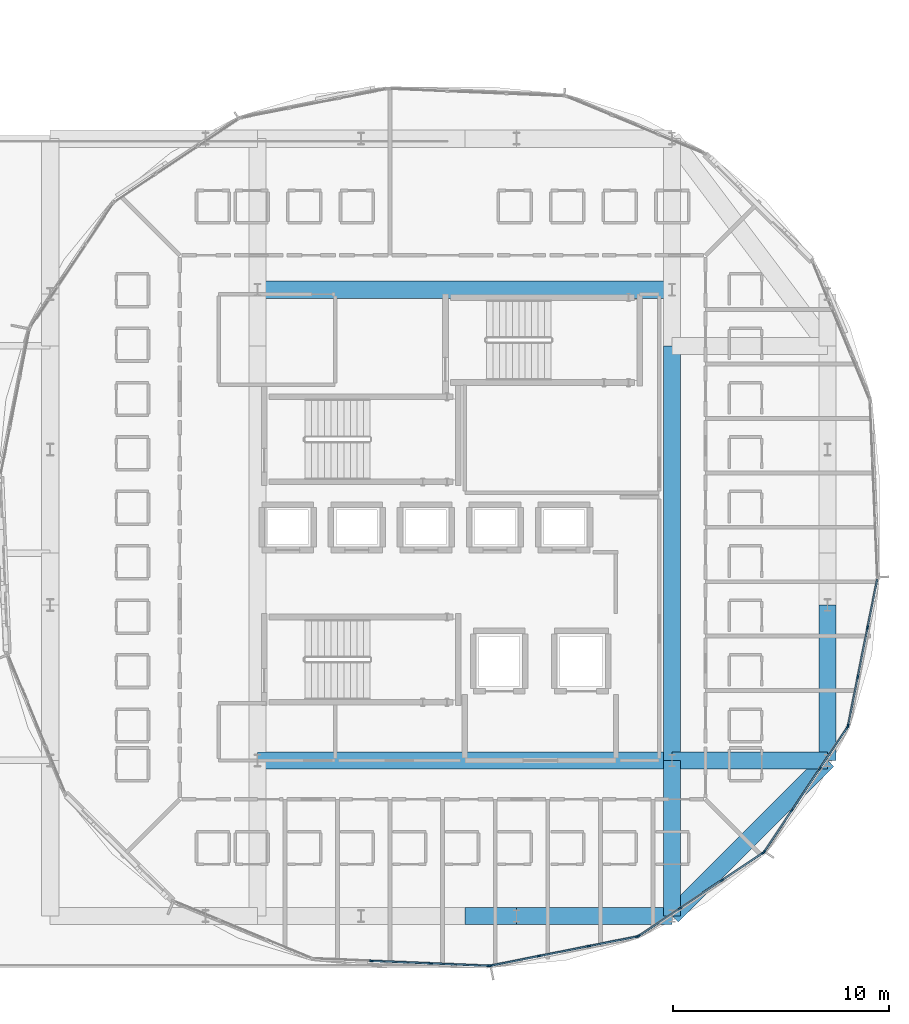
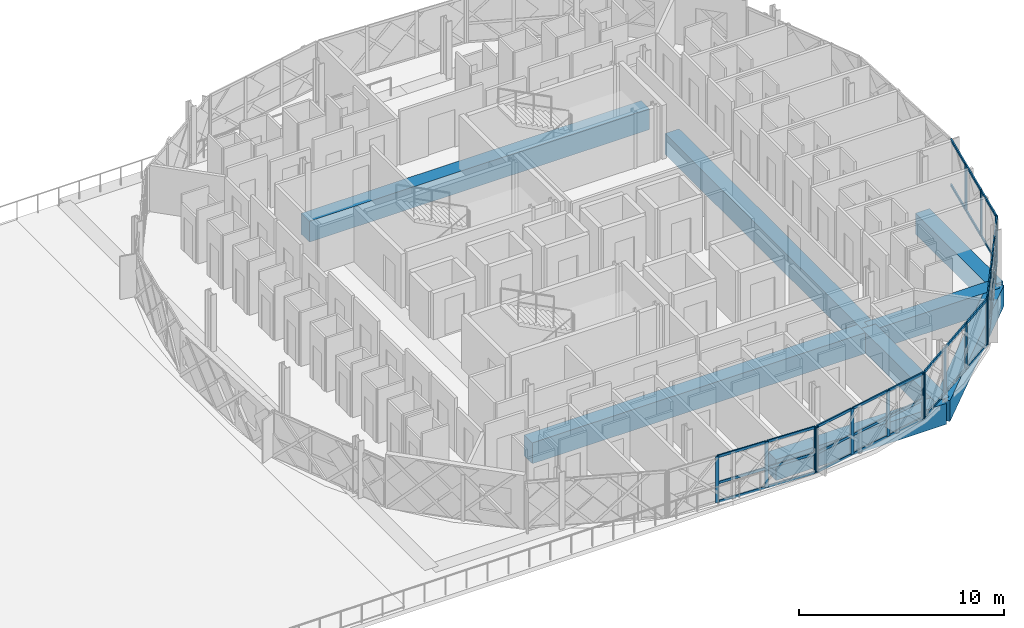
# One storey, part 12 of 53: 54 members, 9 beams, 5 elements without a shape of their own.
"""IFC4 building model written with IfcOpenShell, lengths in metres."""

from ifc_helpers import new_model, si_unit, direction, frame, origin, origin_2d, place, context, subcontext, project, spatial, rectangle, extrude, material, layer, layer_set, material_profile, profile_set, type_object, element, aggregate, save


model = new_model("IFC4")

# Units and contexts
model_context = context("Model", 3, precision=1e-05, world=origin(), true_north=direction((0.0, 1.0)))
body_context = subcontext(model_context, "Body", "Model", "MODEL_VIEW")
ifc_project = project(units=[si_unit("LENGTHUNIT", "METRE"), si_unit("AREAUNIT", "SQUARE_METRE"), si_unit("VOLUMEUNIT", "CUBIC_METRE"), si_unit("PLANEANGLEUNIT", "RADIAN"), si_unit("MASSUNIT", "GRAM", prefix="KILO")], contexts=[model_context])

# Site, building, storey
site_placement = place(None, origin())
site = spatial("IfcSite", under=ifc_project, at=site_placement, CompositionType="ELEMENT")
building_placement = place(site_placement, origin())
building = spatial("IfcBuilding", under=site, at=building_placement, Name="Zevrakil Square Congress Hotel", CompositionType="ELEMENT")
storey_placement = place(building_placement, frame((0.0, 0.0, 14.699951171875)))
storey = spatial("IfcBuildingStorey", under=building, at=storey_placement, Name="L04", CompositionType="ELEMENT", Elevation=14.699951171875)

# Beams
ifc_material_1 = material(Name="Concrete C40/50", Category="concrete")
ifc_material_profile_1 = material_profile(ifc_material_1, rectangle(XDim=0.800048828125, YDim=1.25, at=origin_2d()), Name="RC 800x1250")
ifc_profile_set_1 = profile_set([ifc_material_profile_1], Name="Concrete C40/50")
beam_type = type_object("IfcBeamType", Name="BM-RC800x1250", PredefinedType="BEAM", material=ifc_profile_set_1)
beam_1_placement = place(storey_placement, frame((146.39990234375, 9.60009765625, -0.625), z_axis=(1.0, 0.0, 0.0), x_axis=(0.0, 1.0, 0.0)))
element("IfcBeam", 1, at=beam_1_placement, inside=storey, type_object=beam_type, Name="L04 drum transfer girder TB-007", PredefinedType="BEAM", context=body_context, shape_type="SweptSolid", body=[
    extrude(rectangle(XDim=0.800048828125, YDim=1.25, at=origin_2d()), origin(), (0.0, 0.0, 1.0), 2.400146484375),
])
for number, where, z_axis, x_axis, name in (
    (2, (148.800048828125, 9.60009765625, -0.625), (1.0, 0.0, 0.0), (0.0, 1.0, 0.0), "L04 drum transfer girder TB-009"),
    (3, (163.199951171875, 16.800048828125, -0.625), (0.0, 1.0, 0.0), (-1.0, 0.0, 0.0), "L04 drum transfer girder TB-017"),
):
    element("IfcBeam", number, at=place(storey_placement, frame(where, z_axis=z_axis, x_axis=x_axis)), inside=storey, type_object=beam_type, Name=name, PredefinedType="BEAM", context=body_context, shape_type="SweptSolid", body=[
        extrude(rectangle(XDim=0.800048828125, YDim=1.25, at=origin_2d()), origin(), (0.0, 0.0, 1.0), 7.199951171875),
    ])
beam_2_placement = place(storey_placement, frame((156.0, 9.60009765625, -0.625), z_axis=(0.707106781187, 0.707106781187, 0.0), x_axis=(-0.707106781187, 0.707106781187, 0.0)))
element("IfcBeam", 4, at=beam_2_placement, inside=storey, type_object=beam_type, Name="L04 drum transfer girder TB-021", PredefinedType="BEAM", context=body_context, shape_type="SweptSolid", body=[
    extrude(rectangle(XDim=0.800048828125, YDim=1.25, at=origin_2d()), origin(), (0.0, 0.0, 1.0), 10.182373046875),
])
for number, where, z_axis, x_axis, name in (
    (5, (136.800048828125, 16.800048828125, -0.625), (1.0, 0.0, 0.0), (0.0, 1.0, 0.0), "L04 drum transfer girder TB-023"),
    (6, (136.800048828125, 38.60009765625, -0.625), (1.0, 0.0, 0.0), (0.0, 1.0, 0.0), "L04 drum transfer girder TB-024"),
    (7, (156.0, 16.800048828125, -0.625), (0.0, 1.0, 0.0), (-1.0, 0.0, 0.0), "L04 drum transfer girder TB-026"),
):
    element("IfcBeam", number, at=place(storey_placement, frame(where, z_axis=z_axis, x_axis=x_axis)), inside=storey, type_object=beam_type, Name=name, PredefinedType="BEAM", context=body_context, shape_type="SweptSolid", body=[
        extrude(rectangle(XDim=0.800048828125, YDim=1.25, at=origin_2d()), origin(), (0.0, 0.0, 1.0), 19.199951171875),
    ])
for number, where, z_axis, x_axis, name in (
    (8, (156.0, 9.60009765625, -0.625), (0.0, 1.0, 0.0), (-1.0, 0.0, 0.0), "L04 drum transfer girder TB-029"),
    (9, (156.0, 16.800048828125, -0.625), (1.0, 0.0, 0.0), (0.0, 1.0, 0.0), "L04 drum transfer girder TB-031"),
):
    element("IfcBeam", number, at=place(storey_placement, frame(where, z_axis=z_axis, x_axis=x_axis)), inside=storey, type_object=beam_type, Name=name, PredefinedType="BEAM", context=body_context, shape_type="SweptSolid", body=[
        extrude(rectangle(XDim=0.800048828125, YDim=1.25, at=origin_2d()), origin(), (0.0, 0.0, 1.0), 7.199951171875),
    ])

# Curtain wall, members
ifc_material_2 = material(Name="Aluminium Anodised Bronze", Category="aluminium")
ifc_layer_1 = layer(ifc_material_2, 0.179931640625)
ifc_layer_set_1 = layer_set([ifc_layer_1], Name="Aluminium Anodised Bronze")
curtain_wall_type_1 = type_object("IfcCurtainWallType", Name="CW-L04-720", PredefinedType="USERDEFINED", material=ifc_layer_set_1)
curtain_wall_1_placement = place(storey_placement, origin())
curtain_wall_1 = element("IfcCurtainWall", 10, at=curtain_wall_1_placement, inside=storey, type_object=curtain_wall_type_1, Name="L04 diamond curtain wall CW-L04-0168", ObjectType="GLAZED CURTAIN WALL", PredefinedType="USERDEFINED")
ifc_material_3 = material(Name="Aluminium Anodised Bronze", Category="aluminium")
ifc_material_profile_2 = material_profile(ifc_material_3, rectangle(XDim=0.074951171875, YDim=0.14990234375, at=origin_2d()), Name="ALU 75x150")
ifc_profile_set_2 = profile_set([ifc_material_profile_2], Name="Aluminium Anodised Bronze")
member_type_1 = type_object("IfcMemberType", Name="CWM-ALU75x150", PredefinedType="USERDEFINED", material=ifc_profile_set_2)
member_1_placement = place(storey_placement, frame((147.61376953125, 7.3017578125, 0.030029296875), z_axis=(0.98078922397, 0.195070495322, 0.0), x_axis=(-0.195070495322, 0.98078922397, 0.0)))
member_1 = element("IfcMember", 11, at=member_1_placement, type_object=member_type_1, Name="CW-46 transom 1.1", ObjectType="TRANSOM", PredefinedType="USERDEFINED", context=body_context, shape_type="SweptSolid", body=[
    extrude(rectangle(XDim=0.074951171875, YDim=0.14990234375, at=origin_2d()), origin(), (0.0, 0.0, 1.0), 2.245361328125),
])
member_2_placement = place(storey_placement, frame((147.61376953125, 7.3017578125, 1.155029296875), z_axis=(0.98078922397, 0.195070495322, 0.0), x_axis=(-0.195070495322, 0.98078922397, 0.0)))
member_2 = element("IfcMember", 12, at=member_2_placement, type_object=member_type_1, Name="CW-46 transom 1.2", ObjectType="TRANSOM", PredefinedType="USERDEFINED", context=body_context, shape_type="SweptSolid", body=[
    extrude(rectangle(XDim=0.074951171875, YDim=0.14990234375, at=origin_2d()), origin(), (0.0, 0.0, 1.0), 2.245361328125),
])
member_3_placement = place(storey_placement, frame((147.61376953125, 7.3017578125, 2.719970703125), z_axis=(0.98078922397, 0.195070495322, 0.0), x_axis=(-0.195070495322, 0.98078922397, 0.0)))
member_3 = element("IfcMember", 13, at=member_3_placement, type_object=member_type_1, Name="CW-46 transom 1.3", ObjectType="TRANSOM", PredefinedType="USERDEFINED", context=body_context, shape_type="SweptSolid", body=[
    extrude(rectangle(XDim=0.074951171875, YDim=0.14990234375, at=origin_2d()), origin(), (0.0, 0.0, 1.0), 2.245361328125),
])
member_4_placement = place(storey_placement, frame((149.874755859375, 7.75146484375, 0.030029296875), z_axis=(0.980786492568, 0.195084227953, 0.0), x_axis=(-0.195084227953, 0.980786492568, 0.0)))
member_4 = element("IfcMember", 14, at=member_4_placement, type_object=member_type_1, Name="CW-46 transom 2.1", ObjectType="TRANSOM", PredefinedType="USERDEFINED", context=body_context, shape_type="SweptSolid", body=[
    extrude(rectangle(XDim=0.074951171875, YDim=0.14990234375, at=origin_2d()), origin(), (0.0, 0.0, 1.0), 2.275146484375),
])
member_5_placement = place(storey_placement, frame((149.874755859375, 7.75146484375, 1.155029296875), z_axis=(0.980786492568, 0.195084227953, 0.0), x_axis=(-0.195084227953, 0.980786492568, 0.0)))
member_5 = element("IfcMember", 15, at=member_5_placement, type_object=member_type_1, Name="CW-46 transom 2.2", ObjectType="TRANSOM", PredefinedType="USERDEFINED", context=body_context, shape_type="SweptSolid", body=[
    extrude(rectangle(XDim=0.074951171875, YDim=0.14990234375, at=origin_2d()), origin(), (0.0, 0.0, 1.0), 2.275146484375),
])
member_6_placement = place(storey_placement, frame((149.874755859375, 7.75146484375, 2.719970703125), z_axis=(0.980786492568, 0.195084227953, 0.0), x_axis=(-0.195084227953, 0.980786492568, 0.0)))
member_6 = element("IfcMember", 16, at=member_6_placement, type_object=member_type_1, Name="CW-46 transom 2.3", ObjectType="TRANSOM", PredefinedType="USERDEFINED", context=body_context, shape_type="SweptSolid", body=[
    extrude(rectangle(XDim=0.074951171875, YDim=0.14990234375, at=origin_2d()), origin(), (0.0, 0.0, 1.0), 2.275146484375),
])
member_7_placement = place(storey_placement, frame((152.1650390625, 8.20703125, 0.030029296875), z_axis=(0.98078922397, 0.195070495322, 0.0), x_axis=(-0.195070495322, 0.98078922397, 0.0)))
member_7 = element("IfcMember", 17, at=member_7_placement, type_object=member_type_1, Name="CW-46 transom 3.1", ObjectType="TRANSOM", PredefinedType="USERDEFINED", context=body_context, shape_type="SweptSolid", body=[
    extrude(rectangle(XDim=0.074951171875, YDim=0.14990234375, at=origin_2d()), origin(), (0.0, 0.0, 1.0), 2.245361328125),
])
member_8_placement = place(storey_placement, frame((152.1650390625, 8.20703125, 1.155029296875), z_axis=(0.98078922397, 0.195070495322, 0.0), x_axis=(-0.195070495322, 0.98078922397, 0.0)))
member_8 = element("IfcMember", 18, at=member_8_placement, type_object=member_type_1, Name="CW-46 transom 3.2", ObjectType="TRANSOM", PredefinedType="USERDEFINED", context=body_context, shape_type="SweptSolid", body=[
    extrude(rectangle(XDim=0.074951171875, YDim=0.14990234375, at=origin_2d()), origin(), (0.0, 0.0, 1.0), 2.245361328125),
])
member_9_placement = place(storey_placement, frame((152.1650390625, 8.20703125, 2.719970703125), z_axis=(0.98078922397, 0.195070495322, 0.0), x_axis=(-0.195070495322, 0.98078922397, 0.0)))
member_9 = element("IfcMember", 19, at=member_9_placement, type_object=member_type_1, Name="CW-46 transom 3.3", ObjectType="TRANSOM", PredefinedType="USERDEFINED", context=body_context, shape_type="SweptSolid", body=[
    extrude(rectangle(XDim=0.074951171875, YDim=0.14990234375, at=origin_2d()), origin(), (0.0, 0.0, 1.0), 2.245361328125),
])

curtain_wall_2_placement = place(storey_placement, origin())
curtain_wall_2 = element("IfcCurtainWall", 20, at=curtain_wall_2_placement, inside=storey, type_object=curtain_wall_type_1, Name="L04 diamond curtain wall CW-L04-0169", ObjectType="GLAZED CURTAIN WALL", PredefinedType="USERDEFINED")
member_10_placement = place(storey_placement, frame((154.47607421875, 8.68994140625, 0.030029296875), z_axis=(0.83141404634, 0.555653384358, 0.0), x_axis=(-0.555653384358, 0.83141404634, 0.0)))
member_10 = element("IfcMember", 21, at=member_10_placement, type_object=member_type_1, Name="CW-46 transom 1.1", ObjectType="TRANSOM", PredefinedType="USERDEFINED", context=body_context, shape_type="SweptSolid", body=[
    extrude(rectangle(XDim=0.074951171875, YDim=0.14990234375, at=origin_2d()), origin(), (0.0, 0.0, 1.0), 2.2451171875),
])
member_11_placement = place(storey_placement, frame((154.47607421875, 8.68994140625, 2.72998046875), z_axis=(0.83141404634, 0.555653384358, 0.0), x_axis=(-0.555653384358, 0.83141404634, 0.0)))
member_11 = element("IfcMember", 22, at=member_11_placement, type_object=member_type_1, Name="CW-46 transom 1.2", ObjectType="TRANSOM", PredefinedType="USERDEFINED", context=body_context, shape_type="SweptSolid", body=[
    extrude(rectangle(XDim=0.074951171875, YDim=0.14990234375, at=origin_2d()), origin(), (0.0, 0.0, 1.0), 2.2451171875),
])
member_12_placement = place(storey_placement, frame((156.392822265625, 9.970703125, 0.030029296875), z_axis=(0.831422423114, 0.55564085014, 0.0), x_axis=(-0.55564085014, 0.831422423114, 0.0)))
member_12 = element("IfcMember", 23, at=member_12_placement, type_object=member_type_1, Name="CW-46 transom 2.1", ObjectType="TRANSOM", PredefinedType="USERDEFINED", context=body_context, shape_type="SweptSolid", body=[
    extrude(rectangle(XDim=0.074951171875, YDim=0.14990234375, at=origin_2d()), origin(), (0.0, 0.0, 1.0), 2.275146484375),
])
member_13_placement = place(storey_placement, frame((156.392822265625, 9.970703125, 2.72998046875), z_axis=(0.831422423114, 0.55564085014, 0.0), x_axis=(-0.55564085014, 0.831422423114, 0.0)))
member_13 = element("IfcMember", 24, at=member_13_placement, type_object=member_type_1, Name="CW-46 transom 2.2", ObjectType="TRANSOM", PredefinedType="USERDEFINED", context=body_context, shape_type="SweptSolid", body=[
    extrude(rectangle(XDim=0.074951171875, YDim=0.14990234375, at=origin_2d()), origin(), (0.0, 0.0, 1.0), 2.275146484375),
])
member_14_placement = place(storey_placement, frame((158.33447265625, 11.26806640625, 0.030029296875), z_axis=(0.83141404634, 0.555653384358, 0.0), x_axis=(-0.555653384358, 0.83141404634, 0.0)))
member_14 = element("IfcMember", 25, at=member_14_placement, type_object=member_type_1, Name="CW-46 transom 3.1", ObjectType="TRANSOM", PredefinedType="USERDEFINED", context=body_context, shape_type="SweptSolid", body=[
    extrude(rectangle(XDim=0.074951171875, YDim=0.14990234375, at=origin_2d()), origin(), (0.0, 0.0, 1.0), 2.2451171875),
])
member_15_placement = place(storey_placement, frame((158.33447265625, 11.26806640625, 2.72998046875), z_axis=(0.83141404634, 0.555653384358, 0.0), x_axis=(-0.555653384358, 0.83141404634, 0.0)))
member_15 = element("IfcMember", 26, at=member_15_placement, type_object=member_type_1, Name="CW-46 transom 3.2", ObjectType="TRANSOM", PredefinedType="USERDEFINED", context=body_context, shape_type="SweptSolid", body=[
    extrude(rectangle(XDim=0.074951171875, YDim=0.14990234375, at=origin_2d()), origin(), (0.0, 0.0, 1.0), 2.2451171875),
])

curtain_wall_3_placement = place(storey_placement, origin())
curtain_wall_3 = element("IfcCurtainWall", 27, at=curtain_wall_3_placement, inside=storey, type_object=curtain_wall_type_1, Name="L04 diamond curtain wall CW-L04-0170", ObjectType="GLAZED CURTAIN WALL", PredefinedType="USERDEFINED")
member_16_placement = place(storey_placement, frame((160.284423828125, 12.598876953125, 0.030029296875), z_axis=(0.555578212179, 0.831464280743, 0.0), x_axis=(-0.831464280743, 0.555578212179, 0.0)))
member_16 = element("IfcMember", 28, at=member_16_placement, type_object=member_type_1, Name="CW-46 transom 1.1", ObjectType="TRANSOM", PredefinedType="USERDEFINED", context=body_context, shape_type="SweptSolid", body=[
    extrude(rectangle(XDim=0.074951171875, YDim=0.14990234375, at=origin_2d()), origin(), (0.0, 0.0, 1.0), 2.2451171875),
])
member_17_placement = place(storey_placement, frame((160.284423828125, 12.598876953125, 1.1591796875), z_axis=(0.555578212179, 0.831464280743, 0.0), x_axis=(-0.831464280743, 0.555578212179, 0.0)))
member_17 = element("IfcMember", 29, at=member_17_placement, type_object=member_type_1, Name="CW-46 transom 1.2", ObjectType="TRANSOM", PredefinedType="USERDEFINED", context=body_context, shape_type="SweptSolid", body=[
    extrude(rectangle(XDim=0.074951171875, YDim=0.14990234375, at=origin_2d()), origin(), (0.0, 0.0, 1.0), 2.2451171875),
])
member_18_placement = place(storey_placement, frame((160.284423828125, 12.598876953125, 2.72998046875), z_axis=(0.555578212179, 0.831464280743, 0.0), x_axis=(-0.831464280743, 0.555578212179, 0.0)))
member_18 = element("IfcMember", 30, at=member_18_placement, type_object=member_type_1, Name="CW-46 transom 1.3", ObjectType="TRANSOM", PredefinedType="USERDEFINED", context=body_context, shape_type="SweptSolid", body=[
    extrude(rectangle(XDim=0.074951171875, YDim=0.14990234375, at=origin_2d()), origin(), (0.0, 0.0, 1.0), 2.2451171875),
])
member_19_placement = place(storey_placement, frame((161.565185546875, 14.515625, 0.030029296875), z_axis=(0.55564085014, 0.831422423114, 0.0), x_axis=(-0.831422423114, 0.55564085014, 0.0)))
member_19 = element("IfcMember", 31, at=member_19_placement, type_object=member_type_1, Name="CW-46 transom 2.1", ObjectType="TRANSOM", PredefinedType="USERDEFINED", context=body_context, shape_type="SweptSolid", body=[
    extrude(rectangle(XDim=0.074951171875, YDim=0.14990234375, at=origin_2d()), origin(), (0.0, 0.0, 1.0), 2.275146484375),
])
member_20_placement = place(storey_placement, frame((161.565185546875, 14.515625, 1.1591796875), z_axis=(0.55564085014, 0.831422423114, 0.0), x_axis=(-0.831422423114, 0.55564085014, 0.0)))
member_20 = element("IfcMember", 32, at=member_20_placement, type_object=member_type_1, Name="CW-46 transom 2.2", ObjectType="TRANSOM", PredefinedType="USERDEFINED", context=body_context, shape_type="SweptSolid", body=[
    extrude(rectangle(XDim=0.074951171875, YDim=0.14990234375, at=origin_2d()), origin(), (0.0, 0.0, 1.0), 2.275146484375),
])
member_21_placement = place(storey_placement, frame((161.565185546875, 14.515625, 2.72998046875), z_axis=(0.55564085014, 0.831422423114, 0.0), x_axis=(-0.831422423114, 0.55564085014, 0.0)))
member_21 = element("IfcMember", 33, at=member_21_placement, type_object=member_type_1, Name="CW-46 transom 2.3", ObjectType="TRANSOM", PredefinedType="USERDEFINED", context=body_context, shape_type="SweptSolid", body=[
    extrude(rectangle(XDim=0.074951171875, YDim=0.14990234375, at=origin_2d()), origin(), (0.0, 0.0, 1.0), 2.275146484375),
])
member_22_placement = place(storey_placement, frame((162.862548828125, 16.457275390625, 0.030029296875), z_axis=(0.555578212179, 0.831464280743, 0.0), x_axis=(-0.831464280743, 0.555578212179, 0.0)))
member_22 = element("IfcMember", 34, at=member_22_placement, type_object=member_type_1, Name="CW-46 transom 3.1", ObjectType="TRANSOM", PredefinedType="USERDEFINED", context=body_context, shape_type="SweptSolid", body=[
    extrude(rectangle(XDim=0.074951171875, YDim=0.14990234375, at=origin_2d()), origin(), (0.0, 0.0, 1.0), 2.2451171875),
])
member_23_placement = place(storey_placement, frame((162.862548828125, 16.457275390625, 1.1591796875), z_axis=(0.555578212179, 0.831464280743, 0.0), x_axis=(-0.831464280743, 0.555578212179, 0.0)))
member_23 = element("IfcMember", 35, at=member_23_placement, type_object=member_type_1, Name="CW-46 transom 3.2", ObjectType="TRANSOM", PredefinedType="USERDEFINED", context=body_context, shape_type="SweptSolid", body=[
    extrude(rectangle(XDim=0.074951171875, YDim=0.14990234375, at=origin_2d()), origin(), (0.0, 0.0, 1.0), 2.2451171875),
])
member_24_placement = place(storey_placement, frame((162.862548828125, 16.457275390625, 2.72998046875), z_axis=(0.555578212179, 0.831464280743, 0.0), x_axis=(-0.831464280743, 0.555578212179, 0.0)))
member_24 = element("IfcMember", 36, at=member_24_placement, type_object=member_type_1, Name="CW-46 transom 3.3", ObjectType="TRANSOM", PredefinedType="USERDEFINED", context=body_context, shape_type="SweptSolid", body=[
    extrude(rectangle(XDim=0.074951171875, YDim=0.14990234375, at=origin_2d()), origin(), (0.0, 0.0, 1.0), 2.2451171875),
])

curtain_wall_4_placement = place(storey_placement, origin())
curtain_wall_4 = element("IfcCurtainWall", 37, at=curtain_wall_4_placement, inside=storey, type_object=curtain_wall_type_1, Name="L04 diamond curtain wall CW-L04-0171", ObjectType="GLAZED CURTAIN WALL", PredefinedType="USERDEFINED")
member_25_placement = place(storey_placement, frame((164.155029296875, 18.432861328125, 0.030029296875), z_axis=(0.195091300997, 0.980785085671, 0.0), x_axis=(-0.980785085671, 0.195091300997, 0.0)))
member_25 = element("IfcMember", 38, at=member_25_placement, type_object=member_type_1, Name="CW-46 transom 1.1", ObjectType="TRANSOM", PredefinedType="USERDEFINED", context=body_context, shape_type="SweptSolid", body=[
    extrude(rectangle(XDim=0.074951171875, YDim=0.14990234375, at=origin_2d()), origin(), (0.0, 0.0, 1.0), 2.2451171875),
])
member_26_placement = place(storey_placement, frame((164.155029296875, 18.432861328125, 2.719970703125), z_axis=(0.195091300997, 0.980785085671, 0.0), x_axis=(-0.980785085671, 0.195091300997, 0.0)))
member_26 = element("IfcMember", 39, at=member_26_placement, type_object=member_type_1, Name="CW-46 transom 1.2", ObjectType="TRANSOM", PredefinedType="USERDEFINED", context=body_context, shape_type="SweptSolid", body=[
    extrude(rectangle(XDim=0.074951171875, YDim=0.14990234375, at=origin_2d()), origin(), (0.0, 0.0, 1.0), 2.2451171875),
])
member_27_placement = place(storey_placement, frame((164.604736328125, 20.693603515625, 0.030029296875), z_axis=(0.19506369837, 0.9807905758, 0.0), x_axis=(-0.9807905758, 0.19506369837, 0.0)))
member_27 = element("IfcMember", 40, at=member_27_placement, type_object=member_type_1, Name="CW-46 transom 2.1", ObjectType="TRANSOM", PredefinedType="USERDEFINED", context=body_context, shape_type="SweptSolid", body=[
    extrude(rectangle(XDim=0.074951171875, YDim=0.14990234375, at=origin_2d()), origin(), (0.0, 0.0, 1.0), 2.275390625),
])
member_28_placement = place(storey_placement, frame((164.604736328125, 20.693603515625, 2.719970703125), z_axis=(0.19506369837, 0.9807905758, 0.0), x_axis=(-0.9807905758, 0.19506369837, 0.0)))
member_28 = element("IfcMember", 41, at=member_28_placement, type_object=member_type_1, Name="CW-46 transom 2.2", ObjectType="TRANSOM", PredefinedType="USERDEFINED", context=body_context, shape_type="SweptSolid", body=[
    extrude(rectangle(XDim=0.074951171875, YDim=0.14990234375, at=origin_2d()), origin(), (0.0, 0.0, 1.0), 2.275390625),
])
member_29_placement = place(storey_placement, frame((165.060302734375, 22.984130859375, 0.030029296875), z_axis=(0.195091300997, 0.980785085671, 0.0), x_axis=(-0.980785085671, 0.195091300997, 0.0)))
member_29 = element("IfcMember", 42, at=member_29_placement, type_object=member_type_1, Name="CW-46 transom 3.1", ObjectType="TRANSOM", PredefinedType="USERDEFINED", context=body_context, shape_type="SweptSolid", body=[
    extrude(rectangle(XDim=0.074951171875, YDim=0.14990234375, at=origin_2d()), origin(), (0.0, 0.0, 1.0), 2.2451171875),
])
member_30_placement = place(storey_placement, frame((165.060302734375, 22.984130859375, 2.719970703125), z_axis=(0.195091300997, 0.980785085671, 0.0), x_axis=(-0.980785085671, 0.195091300997, 0.0)))
member_30 = element("IfcMember", 43, at=member_30_placement, type_object=member_type_1, Name="CW-46 transom 3.2", ObjectType="TRANSOM", PredefinedType="USERDEFINED", context=body_context, shape_type="SweptSolid", body=[
    extrude(rectangle(XDim=0.074951171875, YDim=0.14990234375, at=origin_2d()), origin(), (0.0, 0.0, 1.0), 2.2451171875),
])

ifc_material_4 = material(Name="Aluminium Anodised Bronze", Category="aluminium")
ifc_layer_2 = layer(ifc_material_4, 0.179931640625)
ifc_layer_set_2 = layer_set([ifc_layer_2], Name="Aluminium Anodised Bronze")
curtain_wall_type_2 = type_object("IfcCurtainWallType", Name="CW-L04-840", PredefinedType="USERDEFINED", material=ifc_layer_set_2)
curtain_wall_5_placement = place(storey_placement, origin())
curtain_wall_5 = element("IfcCurtainWall", 44, at=curtain_wall_5_placement, inside=storey, type_object=curtain_wall_type_2, Name="L04 diamond curtain wall CW-L04-0182", ObjectType="GLAZED CURTAIN WALL", PredefinedType="USERDEFINED")
member_31_placement = place(storey_placement, frame((142.10986328125, 7.518798828125, 0.030029296875), z_axis=(0.999117690209, -0.041998108433, 0.0), x_axis=(0.041998108433, 0.999117690209, 0.0)))
member_31 = element("IfcMember", 45, at=member_31_placement, type_object=member_type_1, Name="CW-47 transom 2.1", ObjectType="TRANSOM", PredefinedType="USERDEFINED", context=body_context, shape_type="SweptSolid", body=[
    extrude(rectangle(XDim=0.074951171875, YDim=0.14990234375, at=origin_2d()), origin(), (0.0, 0.0, 1.0), 2.679931640625),
])
member_32_placement = place(storey_placement, frame((142.10986328125, 7.518798828125, 1.155029296875), z_axis=(0.999117690209, -0.041998108433, 0.0), x_axis=(0.041998108433, 0.999117690209, 0.0)))
member_32 = element("IfcMember", 46, at=member_32_placement, type_object=member_type_1, Name="CW-47 transom 2.2", ObjectType="TRANSOM", PredefinedType="USERDEFINED", context=body_context, shape_type="SweptSolid", body=[
    extrude(rectangle(XDim=0.074951171875, YDim=0.14990234375, at=origin_2d()), origin(), (0.0, 0.0, 1.0), 2.679931640625),
])
member_33_placement = place(storey_placement, frame((142.10986328125, 7.518798828125, 2.719970703125), z_axis=(0.999117690209, -0.041998108433, 0.0), x_axis=(0.041998108433, 0.999117690209, 0.0)))
member_33 = element("IfcMember", 47, at=member_33_placement, type_object=member_type_1, Name="CW-47 transom 2.3", ObjectType="TRANSOM", PredefinedType="USERDEFINED", context=body_context, shape_type="SweptSolid", body=[
    extrude(rectangle(XDim=0.074951171875, YDim=0.14990234375, at=origin_2d()), origin(), (0.0, 0.0, 1.0), 2.679931640625),
])
member_34_placement = place(storey_placement, frame((144.847412109375, 7.40380859375, 0.030029296875), z_axis=(0.999117194187, -0.04200990692, 0.0), x_axis=(0.04200990692, 0.999117194187, 0.0)))
member_34 = element("IfcMember", 48, at=member_34_placement, type_object=member_type_1, Name="CW-47 transom 3.1", ObjectType="TRANSOM", PredefinedType="USERDEFINED", context=body_context, shape_type="SweptSolid", body=[
    extrude(rectangle(XDim=0.074951171875, YDim=0.14990234375, at=origin_2d()), origin(), (0.0, 0.0, 1.0), 2.650146484375),
])
member_35_placement = place(storey_placement, frame((144.847412109375, 7.40380859375, 1.155029296875), z_axis=(0.999117194187, -0.04200990692, 0.0), x_axis=(0.04200990692, 0.999117194187, 0.0)))
member_35 = element("IfcMember", 49, at=member_35_placement, type_object=member_type_1, Name="CW-47 transom 3.2", ObjectType="TRANSOM", PredefinedType="USERDEFINED", context=body_context, shape_type="SweptSolid", body=[
    extrude(rectangle(XDim=0.074951171875, YDim=0.14990234375, at=origin_2d()), origin(), (0.0, 0.0, 1.0), 2.650146484375),
])
member_36_placement = place(storey_placement, frame((144.847412109375, 7.40380859375, 2.719970703125), z_axis=(0.999117194187, -0.04200990692, 0.0), x_axis=(0.04200990692, 0.999117194187, 0.0)))
member_36 = element("IfcMember", 50, at=member_36_placement, type_object=member_type_1, Name="CW-47 transom 3.3", ObjectType="TRANSOM", PredefinedType="USERDEFINED", context=body_context, shape_type="SweptSolid", body=[
    extrude(rectangle(XDim=0.074951171875, YDim=0.14990234375, at=origin_2d()), origin(), (0.0, 0.0, 1.0), 2.650146484375),
])

# Member
ifc_material_5 = material(Name="Aluminium Anodised Bronze", Category="aluminium")
ifc_material_profile_3 = material_profile(ifc_material_5, rectangle(XDim=0.074951171875, YDim=0.179931640625, at=origin_2d()), Name="ALU 75x180")
ifc_profile_set_3 = profile_set([ifc_material_profile_3], Name="Aluminium Anodised Bronze")
member_type_2 = type_object("IfcMemberType", Name="CWM-ALU75x180", PredefinedType="MULLION", material=ifc_profile_set_3)
member_37_placement = place(storey_placement, frame((147.58447265625, 7.2958984375, 0.0), z_axis=(0.0, 0.0, 1.0), x_axis=(-0.195083900459, 0.980786557708, 0.0)))
member_37 = element("IfcMember", 51, at=member_37_placement, type_object=member_type_2, Name="CW-46 mullion 1", PredefinedType="MULLION", context=body_context, shape_type="SweptSolid", body=[
    extrude(rectangle(XDim=0.074951171875, YDim=0.179931640625, at=origin_2d()), origin(), (0.0, 0.0, 1.0), 2.75),
])

member_38_placement = place(storey_placement, frame((149.845458984375, 7.74560546875, 0.0), z_axis=(0.0, 0.0, 1.0), x_axis=(-0.195083900459, 0.980786557708, 0.0)))
member_38 = element("IfcMember", 52, at=member_38_placement, type_object=member_type_2, Name="CW-46 mullion 2", PredefinedType="MULLION", context=body_context, shape_type="SweptSolid", body=[
    extrude(rectangle(XDim=0.074951171875, YDim=0.179931640625, at=origin_2d()), origin(), (0.0, 0.0, 1.0), 2.75),
])

member_39_placement = place(storey_placement, frame((152.1357421875, 8.201171875, 0.0), z_axis=(0.0, 0.0, 1.0), x_axis=(-0.195083900459, 0.980786557708, 0.0)))
member_39 = element("IfcMember", 53, at=member_39_placement, type_object=member_type_2, Name="CW-46 mullion 3", PredefinedType="MULLION", context=body_context, shape_type="SweptSolid", body=[
    extrude(rectangle(XDim=0.074951171875, YDim=0.179931640625, at=origin_2d()), origin(), (0.0, 0.0, 1.0), 2.75),
])

member_40_placement = place(storey_placement, frame((154.396728515625, 8.65087890625, 0.0), z_axis=(0.0, 0.0, 1.0), x_axis=(-0.195083900459, 0.980786557708, 0.0)))
member_40 = element("IfcMember", 54, at=member_40_placement, type_object=member_type_2, Name="CW-46 mullion 4", PredefinedType="MULLION", context=body_context, shape_type="SweptSolid", body=[
    extrude(rectangle(XDim=0.074951171875, YDim=0.179931640625, at=origin_2d()), origin(), (0.0, 0.0, 1.0), 2.75),
])

aggregate(curtain_wall_1, [member_37, member_38, member_39, member_40, member_1, member_2, member_3, member_4, member_5, member_6, member_7, member_8, member_9])

member_41_placement = place(storey_placement, frame((154.450927734375, 8.67333984375, 0.0), z_axis=(0.0, 0.0, 1.0), x_axis=(-0.555576098128, 0.831465693332, 0.0)))
member_41 = element("IfcMember", 55, at=member_41_placement, type_object=member_type_2, Name="CW-46 mullion 1", PredefinedType="MULLION", context=body_context, shape_type="SweptSolid", body=[
    extrude(rectangle(XDim=0.074951171875, YDim=0.179931640625, at=origin_2d()), origin(), (0.0, 0.0, 1.0), 2.760009765625),
])

member_42_placement = place(storey_placement, frame((156.36767578125, 9.9541015625, 0.0), z_axis=(0.0, 0.0, 1.0), x_axis=(-0.555576098128, 0.831465693332, 0.0)))
member_42 = element("IfcMember", 56, at=member_42_placement, type_object=member_type_2, Name="CW-46 mullion 2", PredefinedType="MULLION", context=body_context, shape_type="SweptSolid", body=[
    extrude(rectangle(XDim=0.074951171875, YDim=0.179931640625, at=origin_2d()), origin(), (0.0, 0.0, 1.0), 2.760009765625),
])

member_43_placement = place(storey_placement, frame((158.309326171875, 11.25146484375, 0.0), z_axis=(0.0, 0.0, 1.0), x_axis=(-0.555576098128, 0.831465693332, 0.0)))
member_43 = element("IfcMember", 57, at=member_43_placement, type_object=member_type_2, Name="CW-46 mullion 3", PredefinedType="MULLION", context=body_context, shape_type="SweptSolid", body=[
    extrude(rectangle(XDim=0.074951171875, YDim=0.179931640625, at=origin_2d()), origin(), (0.0, 0.0, 1.0), 2.760009765625),
])

member_44_placement = place(storey_placement, frame((160.22607421875, 12.5322265625, 0.0), z_axis=(0.0, 0.0, 1.0), x_axis=(-0.555576098128, 0.831465693332, 0.0)))
member_44 = element("IfcMember", 58, at=member_44_placement, type_object=member_type_2, Name="CW-46 mullion 4", PredefinedType="MULLION", context=body_context, shape_type="SweptSolid", body=[
    extrude(rectangle(XDim=0.074951171875, YDim=0.179931640625, at=origin_2d()), origin(), (0.0, 0.0, 1.0), 2.760009765625),
])

aggregate(curtain_wall_2, [member_41, member_42, member_43, member_44, member_10, member_11, member_12, member_13, member_14, member_15])

member_45_placement = place(storey_placement, frame((160.267822265625, 12.57373046875, 0.0), z_axis=(0.0, 0.0, 1.0), x_axis=(-0.831465693332, 0.555576098128, 0.0)))
member_45 = element("IfcMember", 59, at=member_45_placement, type_object=member_type_2, Name="CW-46 mullion 1", PredefinedType="MULLION", context=body_context, shape_type="SweptSolid", body=[
    extrude(rectangle(XDim=0.074951171875, YDim=0.179931640625, at=origin_2d()), origin(), (0.0, 0.0, 1.0), 2.760009765625),
])

member_46_placement = place(storey_placement, frame((161.548583984375, 14.490478515625, 0.0), z_axis=(0.0, 0.0, 1.0), x_axis=(-0.831465693332, 0.555576098128, 0.0)))
member_46 = element("IfcMember", 60, at=member_46_placement, type_object=member_type_2, Name="CW-46 mullion 2", PredefinedType="MULLION", context=body_context, shape_type="SweptSolid", body=[
    extrude(rectangle(XDim=0.074951171875, YDim=0.179931640625, at=origin_2d()), origin(), (0.0, 0.0, 1.0), 2.760009765625),
])

member_47_placement = place(storey_placement, frame((162.845947265625, 16.43212890625, 0.0), z_axis=(0.0, 0.0, 1.0), x_axis=(-0.831465693332, 0.555576098128, 0.0)))
member_47 = element("IfcMember", 61, at=member_47_placement, type_object=member_type_2, Name="CW-46 mullion 3", PredefinedType="MULLION", context=body_context, shape_type="SweptSolid", body=[
    extrude(rectangle(XDim=0.074951171875, YDim=0.179931640625, at=origin_2d()), origin(), (0.0, 0.0, 1.0), 2.760009765625),
])

member_48_placement = place(storey_placement, frame((164.126708984375, 18.348876953125, 0.0), z_axis=(0.0, 0.0, 1.0), x_axis=(-0.831465693332, 0.555576098128, 0.0)))
member_48 = element("IfcMember", 62, at=member_48_placement, type_object=member_type_2, Name="CW-46 mullion 4", PredefinedType="MULLION", context=body_context, shape_type="SweptSolid", body=[
    extrude(rectangle(XDim=0.074951171875, YDim=0.179931640625, at=origin_2d()), origin(), (0.0, 0.0, 1.0), 2.760009765625),
])

aggregate(curtain_wall_3, [member_45, member_46, member_47, member_48, member_16, member_17, member_18, member_19, member_20, member_21, member_22, member_23, member_24])

member_49_placement = place(storey_placement, frame((164.149169921875, 18.4033203125, 0.0), z_axis=(0.0, 0.0, 1.0), x_axis=(-0.980786557708, 0.195083900459, 0.0)))
member_49 = element("IfcMember", 63, at=member_49_placement, type_object=member_type_2, Name="CW-46 mullion 1", PredefinedType="MULLION", context=body_context, shape_type="SweptSolid", body=[
    extrude(rectangle(XDim=0.074951171875, YDim=0.179931640625, at=origin_2d()), origin(), (0.0, 0.0, 1.0), 2.75),
])

member_50_placement = place(storey_placement, frame((164.598876953125, 20.664306640625, 0.0), z_axis=(0.0, 0.0, 1.0), x_axis=(-0.980786557708, 0.195083900459, 0.0)))
member_50 = element("IfcMember", 64, at=member_50_placement, type_object=member_type_2, Name="CW-46 mullion 2", PredefinedType="MULLION", context=body_context, shape_type="SweptSolid", body=[
    extrude(rectangle(XDim=0.074951171875, YDim=0.179931640625, at=origin_2d()), origin(), (0.0, 0.0, 1.0), 2.75),
])

member_51_placement = place(storey_placement, frame((165.054443359375, 22.95458984375, 0.0), z_axis=(0.0, 0.0, 1.0), x_axis=(-0.980786557708, 0.195083900459, 0.0)))
member_51 = element("IfcMember", 65, at=member_51_placement, type_object=member_type_2, Name="CW-46 mullion 3", PredefinedType="MULLION", context=body_context, shape_type="SweptSolid", body=[
    extrude(rectangle(XDim=0.074951171875, YDim=0.179931640625, at=origin_2d()), origin(), (0.0, 0.0, 1.0), 2.75),
])

aggregate(curtain_wall_4, [member_49, member_50, member_51, member_25, member_26, member_27, member_28, member_29, member_30])

member_52_placement = place(storey_placement, frame((142.079833984375, 7.52001953125, 0.0), z_axis=(0.0, 0.0, 1.0), x_axis=(0.041970582763, 0.999118846876, 0.0)))
member_52 = element("IfcMember", 66, at=member_52_placement, type_object=member_type_2, Name="CW-47 mullion 2", PredefinedType="MULLION", context=body_context, shape_type="SweptSolid", body=[
    extrude(rectangle(XDim=0.074951171875, YDim=0.179931640625, at=origin_2d()), origin(), (0.0, 0.0, 1.0), 2.75),
])

member_53_placement = place(storey_placement, frame((144.8173828125, 7.405029296875, 0.0), z_axis=(0.0, 0.0, 1.0), x_axis=(0.041970582763, 0.999118846876, 0.0)))
member_53 = element("IfcMember", 67, at=member_53_placement, type_object=member_type_2, Name="CW-47 mullion 3", PredefinedType="MULLION", context=body_context, shape_type="SweptSolid", body=[
    extrude(rectangle(XDim=0.074951171875, YDim=0.179931640625, at=origin_2d()), origin(), (0.0, 0.0, 1.0), 2.75),
])

member_54_placement = place(storey_placement, frame((147.525146484375, 7.291259765625, 0.0), z_axis=(0.0, 0.0, 1.0), x_axis=(0.041970582763, 0.999118846876, 0.0)))
member_54 = element("IfcMember", 68, at=member_54_placement, type_object=member_type_2, Name="CW-47 mullion 4", PredefinedType="MULLION", context=body_context, shape_type="SweptSolid", body=[
    extrude(rectangle(XDim=0.074951171875, YDim=0.179931640625, at=origin_2d()), origin(), (0.0, 0.0, 1.0), 2.75),
])

aggregate(curtain_wall_5, [member_52, member_53, member_54, member_31, member_32, member_33, member_34, member_35, member_36])

save(model, "model.ifc")
